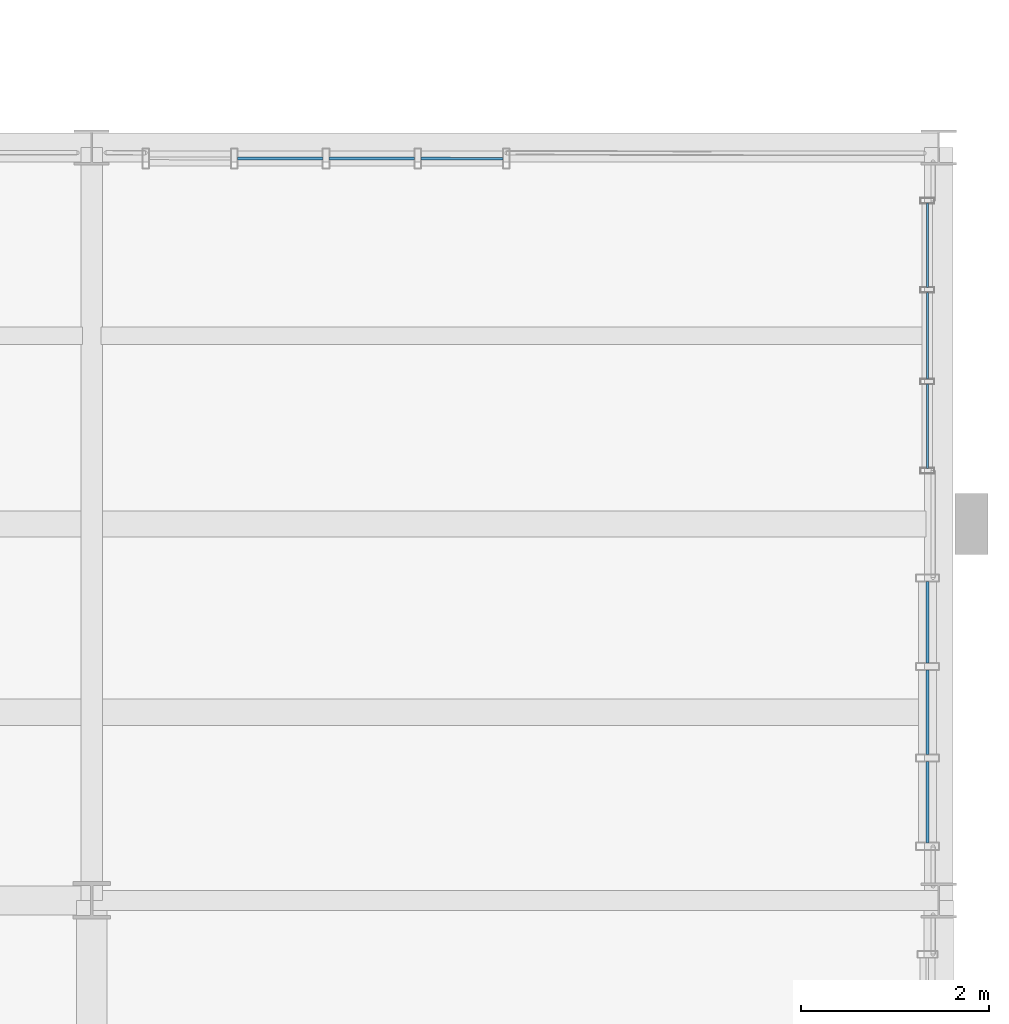
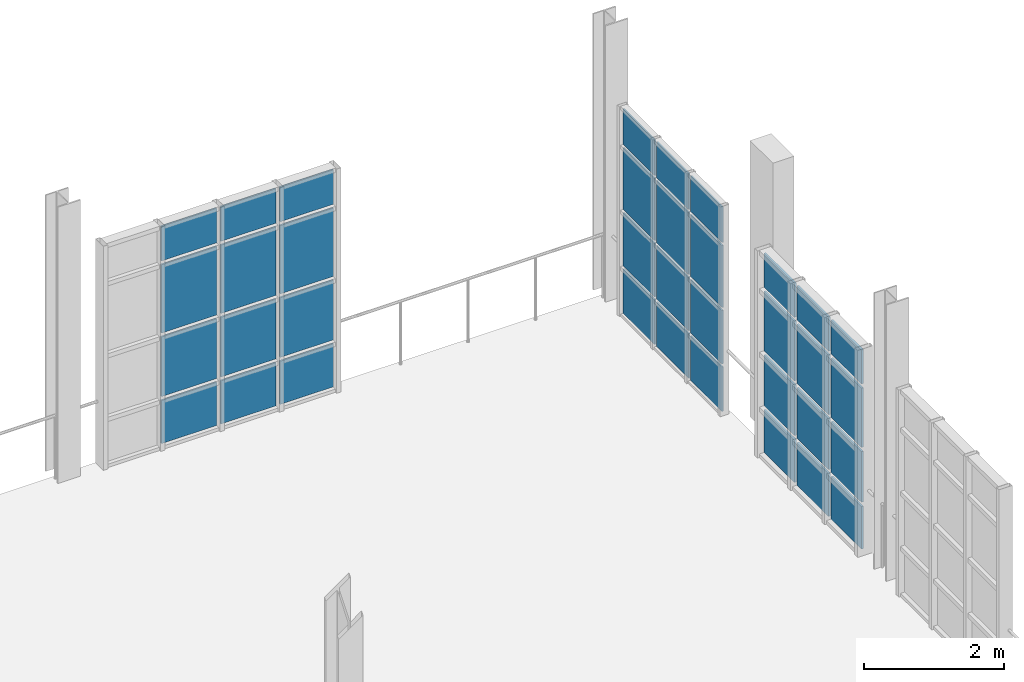
# One storey, part 93 of 122: 36 plates, 3 elements without a shape of their own.
"""IFC4 building model written with IfcOpenShell, lengths in metres."""

import ifcopenshell
import ifcopenshell.guid

model = None  # the IFC model being written
_history = None  # IfcOwnerHistory: only IFC2X3 demands one
_inside = {}  # id of a spatial element -> (the spatial element, [elements in it])
_under = {}  # id of a project, library or spatial element -> (it, [spatial elements below it])
_declared = {}  # id of a project -> (the project, [libraries it declares])
_typed = {}  # id of a type object -> (the type object, [elements of that type])
_made_of = {}  # id of a material, layer set ... -> (it, [elements and type objects made of it])


def new_model(schema):
    """Start an empty IFC model of exactly this schema.

    Asked for "IFC4X3", IfcOpenShell would pick the latest addendum, in which some entities
    have other attributes; the version numbers below select the first issue.
    IFC2X3 requires an IfcOwnerHistory on every rooted entity: one is made here for all.
    """
    global model, _history
    if schema == "IFC4X3":
        model = ifcopenshell.file(schema_version=(4, 3, 0, 0))
    else:
        model = ifcopenshell.file(schema=schema)
    _inside.clear()
    _under.clear()
    _declared.clear()
    _typed.clear()
    _made_of.clear()
    _history = None
    if model.schema == "IFC2X3":
        org = make("IfcOrganization", Name="unknown")
        user = make(
            "IfcPersonAndOrganization",
            ThePerson=make("IfcPerson", FamilyName="unknown"),
            TheOrganization=org,
        )
        app = make(
            "IfcApplication",
            ApplicationDeveloper=org,
            Version="unknown",
            ApplicationFullName="unknown",
            ApplicationIdentifier="unknown",
        )
        _history = make(
            "IfcOwnerHistory",
            OwningUser=user,
            OwningApplication=app,
            ChangeAction="ADDED",
            CreationDate=0,
        )
    return model


def make(cls, **values):
    """One entity of the class cls with the attributes given. An attribute that is None is left unset."""
    return model.create_entity(
        cls, **{name: value for name, value in values.items() if value is not None}
    )


def rooted(cls, **values):
    """An entity with a GlobalId (a new one), such as an element, a storey or a relation."""
    return make(cls, GlobalId=ifcopenshell.guid.new(), OwnerHistory=_history, **values)


def si_unit(unit_type, name, prefix=None):
    """IfcSIUnit, for example si_unit("LENGTHUNIT", "METRE", prefix="MILLI")."""
    return make("IfcSIUnit", UnitType=unit_type, Prefix=prefix, Name=name)


def assignment(units):
    """IfcUnitAssignment: the units of a project."""
    return None if units is None else make("IfcUnitAssignment", Units=units)


def point(xyz):
    """IfcCartesianPoint."""
    return None if xyz is None else make("IfcCartesianPoint", Coordinates=xyz)


def direction(xyz):
    """IfcDirection."""
    return None if xyz is None else make("IfcDirection", DirectionRatios=xyz)


def frame(location, z_axis=None, x_axis=None):
    """IfcAxis2Placement3D, a coordinate frame: its origin and axes. An axis left out is left unset."""
    return make(
        "IfcAxis2Placement3D",
        Location=point(location),
        Axis=direction(z_axis),
        RefDirection=direction(x_axis),
    )


def frame_2d(location, x_axis=None):
    """IfcAxis2Placement2D, a coordinate frame in the plane: its origin and x axis."""
    return make(
        "IfcAxis2Placement2D", Location=point(location), RefDirection=direction(x_axis)
    )


def origin():
    """The frame at (0, 0, 0) with its axes left unset."""
    return frame((0.0, 0.0, 0.0))


def origin_2d():
    """The frame at (0, 0) in the plane with its x axis left unset."""
    return frame_2d((0.0, 0.0))


def place(relative_to, where):
    """IfcLocalPlacement: puts the frame where relative to a parent placement (None: the world)."""
    return make(
        "IfcLocalPlacement", PlacementRelTo=relative_to, RelativePlacement=where
    )


def context(
    kind, dimensions, precision=None, world=None, true_north=None, identifier=None
):
    """IfcGeometricRepresentationContext, for example the 3D "Model" context."""
    return make(
        "IfcGeometricRepresentationContext",
        ContextIdentifier=identifier,
        ContextType=kind,
        CoordinateSpaceDimension=dimensions,
        Precision=precision,
        WorldCoordinateSystem=world,
        TrueNorth=true_north,
    )


def subcontext(parent, identifier, kind, view, scale=None):
    """IfcGeometricRepresentationSubContext, for example "Body" below "Model"."""
    return make(
        "IfcGeometricRepresentationSubContext",
        ContextIdentifier=identifier,
        ContextType=kind,
        ParentContext=parent,
        TargetScale=scale,
        TargetView=view,
    )


def project(units=None, contexts=None):
    """IfcProject with its units and contexts."""
    return rooted(
        "IfcProject",
        Name="project",
        RepresentationContexts=contexts,
        UnitsInContext=assignment(units),
    )


def spatial(cls, under=None, at=None, **own):
    """A site, building, storey or space (cls), placed at a placement, below another one or the project."""
    s = rooted(cls, ObjectPlacement=at, **own)
    if under is not None:
        _under.setdefault(under.id(), (under, []))[1].append(s)
    return s


def profile(cls, at=None, kind="AREA", **sizes):
    """A parametric profile (cls). Its sizes go by their IFC names, for example OverallWidth=200.0."""
    return make(cls, ProfileType=kind, Position=at, **sizes)


def rectangle(**sizes):
    """IfcRectangleProfileDef."""
    return profile("IfcRectangleProfileDef", **sizes)


def extrude(swept, where, along, depth):
    """IfcExtrudedAreaSolid: the profile swept, set in the frame where, extruded along a direction by depth."""
    return make(
        "IfcExtrudedAreaSolid",
        SweptArea=swept,
        Position=where,
        ExtrudedDirection=direction(along),
        Depth=depth,
    )


def shape(context_of_items, identifier, shape_type, items):
    """IfcShapeRepresentation: the items that make up one representation, for example the "Body"."""
    return make(
        "IfcShapeRepresentation",
        ContextOfItems=context_of_items,
        RepresentationIdentifier=identifier,
        RepresentationType=shape_type,
        Items=items,
    )


def material(Name=None, Category=None):
    """IfcMaterial."""
    return make("IfcMaterial", Name=Name, Category=Category)


def layer(
    of_material, thickness, ventilated=None, Name=None, Category=None, Priority=None
):
    """IfcMaterialLayer: one layer of a wall or slab, of a material (None: an air gap)."""
    return make(
        "IfcMaterialLayer",
        Material=of_material,
        LayerThickness=thickness,
        IsVentilated=ventilated,
        Name=Name,
        Category=Category,
        Priority=Priority,
    )


def layer_set(layers, Name=None):
    """IfcMaterialLayerSet."""
    return make("IfcMaterialLayerSet", MaterialLayers=layers, LayerSetName=Name)


def made_of(thing, what):
    """Note that an element or type object is made of a material, layer set ...; save() writes the relation."""
    if what is not None:
        _made_of.setdefault(what.id(), (what, []))[1].append(thing)
    return thing


def type_object(cls, material=None, **own):
    """A type object (cls), such as IfcWallType, which elements share."""
    return made_of(rooted(cls, **own), material)


def element(
    cls,
    number,
    at=None,
    inside=None,
    cuts=None,
    type_object=None,
    material=None,
    context=None,
    identifier="Body",
    shape_type=None,
    held_by="IfcProductDefinitionShape",
    body=None,
    shapes=None,
    **own,
):
    """One element of the class cls, such as IfcWall. Its Tag is "e" and its number.

    at: its placement. inside: the storey or other place that contains it. cuts: it is an
    opening in that element (IfcRelVoidsElement). A single representation is given by context,
    identifier, shape_type and body (its items); several are given by shapes. held_by: the class
    of the entity that holds the representations. save() writes the other relations.
    """
    e = rooted(cls, Tag="e%d" % number, ObjectPlacement=at, **own)
    if body is not None:
        shapes = [shape(context, identifier, shape_type, body)]
    if shapes is not None:
        e.Representation = make(held_by, Representations=shapes)
    if inside is not None:
        _inside.setdefault(inside.id(), (inside, []))[1].append(e)
    if cuts is not None:
        rooted(
            "IfcRelVoidsElement", RelatingBuildingElement=cuts, RelatedOpeningElement=e
        )
    if type_object is not None:
        _typed.setdefault(type_object.id(), (type_object, []))[1].append(e)
    return made_of(e, material)


def aggregate(whole, parts):
    """IfcRelAggregates: a whole, such as a stair, and the parts it consists of."""
    return rooted("IfcRelAggregates", RelatingObject=whole, RelatedObjects=parts)


def save(model, path):
    """Write the relations noted so far, then the file.

    IfcRelAggregates (storeys below a building ...), IfcRelContainedInSpatialStructure (elements
    in a storey), IfcRelDefinesByType, IfcRelAssociatesMaterial and IfcRelDeclares: one each for
    every whole, place, type object, material and project.
    """
    for whole, parts in _under.values():
        aggregate(whole, parts)
    for where, things in _inside.values():
        rooted(
            "IfcRelContainedInSpatialStructure",
            RelatedElements=things,
            RelatingStructure=where,
        )
    for kind, things in _typed.values():
        rooted("IfcRelDefinesByType", RelatedObjects=things, RelatingType=kind)
    for what, things in _made_of.values():
        rooted("IfcRelAssociatesMaterial", RelatedObjects=things, RelatingMaterial=what)
    for by, libraries in _declared.values():
        rooted("IfcRelDeclares", RelatingContext=by, RelatedDefinitions=libraries)
    model.write(path)


model = new_model("IFC4")

# Units and contexts
model_context = context("Model", 3, precision=1e-05, world=origin(), true_north=direction((0.0, 1.0)))
body_context = subcontext(model_context, "Body", "Model", "MODEL_VIEW")
ifc_project = project(units=[si_unit("LENGTHUNIT", "METRE"), si_unit("AREAUNIT", "SQUARE_METRE"), si_unit("VOLUMEUNIT", "CUBIC_METRE"), si_unit("PLANEANGLEUNIT", "RADIAN"), si_unit("MASSUNIT", "GRAM", prefix="KILO"), si_unit("THERMODYNAMICTEMPERATUREUNIT", "KELVIN"), si_unit("POWERUNIT", "WATT")], contexts=[model_context])

# Site, building, storey
site_placement = place(None, origin())
site = spatial("IfcSite", under=ifc_project, at=site_placement, CompositionType="ELEMENT")
building_placement = place(site_placement, origin())
building = spatial("IfcBuilding", under=site, at=building_placement, Name="Zelmaris Science Centre", CompositionType="ELEMENT")
storey_placement = place(building_placement, frame((0.0, 0.0, 10.800048828125)))
storey = spatial("IfcBuildingStorey", under=building, at=storey_placement, Name="L02", CompositionType="ELEMENT", Elevation=10.800048828125)

# Curtain wall, plates
ifc_material_1 = material(Name="Anodised architectural aluminium 6063-T6", Category="aluminium")
ifc_layer_1 = layer(ifc_material_1, 0.18994140625, Name="Anodised architectural aluminium 6063-T6")
ifc_layer_set_1 = layer_set([ifc_layer_1], Name="Anodised architectural aluminium 6063-T6")
curtain_wall_type_1 = type_object("IfcCurtainWallType", Name="Curtain Wall CW-01", PredefinedType="USERDEFINED", material=ifc_layer_set_1)
curtain_wall_1_placement = place(storey_placement, origin())
curtain_wall_1 = element("IfcCurtainWall", 1, at=curtain_wall_1_placement, inside=storey, type_object=curtain_wall_type_1, Name="L02 Unitised curtain wall 225", ObjectType="GLAZED CURTAIN WALL", PredefinedType="USERDEFINED")
ifc_material_2 = material(Name="Laminated hurricane-rated low-E insulated glazing", Category="glass")
ifc_layer_2 = layer(ifc_material_2, 0.031982421875, Name="Laminated hurricane-rated low-E insulated glazing")
ifc_layer_set_2 = layer_set([ifc_layer_2], Name="Laminated hurricane-rated low-E insulated glazing")
plate_type_1 = type_object("IfcPlateType", Name="Curtain Glazing Panel CWP-1 32mm", PredefinedType="CURTAIN_PANEL", material=ifc_layer_set_2)
plate_1_placement = place(storey_placement, frame((143.8798828125, 50.955322265625, 0.05712890625), z_axis=(0.0, 0.0, 1.0), x_axis=(0.0, -1.0, 0.0)))
plate_1 = element("IfcPlate", 2, at=plate_1_placement, type_object=plate_type_1, Name="CW-01 panel 1.1", PredefinedType="CURTAIN_PANEL", context=body_context, shape_type="SweptSolid", body=[
    extrude(rectangle(XDim=0.865234375, YDim=0.031982421875, at=origin_2d()), origin(), (0.0, 0.0, 1.0), 0.741943359375),
])
plate_2_placement = place(storey_placement, frame((143.8798828125, 50.955322265625, 0.87109375), z_axis=(0.0, 0.0, 1.0), x_axis=(0.0, -1.0, 0.0)))
plate_2 = element("IfcPlate", 3, at=plate_2_placement, type_object=plate_type_1, Name="CW-01 panel 1.2", PredefinedType="CURTAIN_PANEL", context=body_context, shape_type="SweptSolid", body=[
    extrude(rectangle(XDim=0.865234375, YDim=0.031982421875, at=origin_2d()), origin(), (0.0, 0.0, 1.0), 0.882080078125),
])
plate_3_placement = place(storey_placement, frame((143.8798828125, 50.955322265625, 1.8251953125), z_axis=(0.0, 0.0, 1.0), x_axis=(0.0, -1.0, 0.0)))
plate_3 = element("IfcPlate", 4, at=plate_3_placement, type_object=plate_type_1, Name="CW-01 panel 1.3", PredefinedType="CURTAIN_PANEL", context=body_context, shape_type="SweptSolid", body=[
    extrude(rectangle(XDim=0.865234375, YDim=0.031982421875, at=origin_2d()), origin(), (0.0, 0.0, 1.0), 1.031982421875),
])
plate_4_placement = place(storey_placement, frame((143.8798828125, 50.955322265625, 2.9287109375), z_axis=(0.0, 0.0, 1.0), x_axis=(0.0, -1.0, 0.0)))
plate_4 = element("IfcPlate", 5, at=plate_4_placement, type_object=plate_type_1, Name="CW-01 panel 1.4", PredefinedType="CURTAIN_PANEL", context=body_context, shape_type="SweptSolid", body=[
    extrude(rectangle(XDim=0.865234375, YDim=0.031982421875, at=origin_2d()), origin(), (0.0, 0.0, 1.0), 0.592041015625),
])
plate_5_placement = place(storey_placement, frame((143.8798828125, 50.0, 0.05712890625), z_axis=(0.0, 0.0, 1.0), x_axis=(0.0, -1.0, 0.0)))
plate_5 = element("IfcPlate", 6, at=plate_5_placement, type_object=plate_type_1, Name="CW-01 panel 2.1", PredefinedType="CURTAIN_PANEL", context=body_context, shape_type="SweptSolid", body=[
    extrude(rectangle(XDim=0.9013671875, YDim=0.031982421875, at=origin_2d()), origin(), (0.0, 0.0, 1.0), 0.741943359375),
])
plate_6_placement = place(storey_placement, frame((143.8798828125, 50.0, 0.87109375), z_axis=(0.0, 0.0, 1.0), x_axis=(0.0, -1.0, 0.0)))
plate_6 = element("IfcPlate", 7, at=plate_6_placement, type_object=plate_type_1, Name="CW-01 panel 2.2", PredefinedType="CURTAIN_PANEL", context=body_context, shape_type="SweptSolid", body=[
    extrude(rectangle(XDim=0.9013671875, YDim=0.031982421875, at=origin_2d()), origin(), (0.0, 0.0, 1.0), 0.882080078125),
])
plate_7_placement = place(storey_placement, frame((143.8798828125, 50.0, 1.8251953125), z_axis=(0.0, 0.0, 1.0), x_axis=(0.0, -1.0, 0.0)))
plate_7 = element("IfcPlate", 8, at=plate_7_placement, type_object=plate_type_1, Name="CW-01 panel 2.3", PredefinedType="CURTAIN_PANEL", context=body_context, shape_type="SweptSolid", body=[
    extrude(rectangle(XDim=0.9013671875, YDim=0.031982421875, at=origin_2d()), origin(), (0.0, 0.0, 1.0), 1.031982421875),
])
plate_8_placement = place(storey_placement, frame((143.8798828125, 50.0, 2.9287109375), z_axis=(0.0, 0.0, 1.0), x_axis=(0.0, -1.0, 0.0)))
plate_8 = element("IfcPlate", 9, at=plate_8_placement, type_object=plate_type_1, Name="CW-01 panel 2.4", PredefinedType="CURTAIN_PANEL", context=body_context, shape_type="SweptSolid", body=[
    extrude(rectangle(XDim=0.9013671875, YDim=0.031982421875, at=origin_2d()), origin(), (0.0, 0.0, 1.0), 0.592041015625),
])
plate_9_placement = place(storey_placement, frame((143.8798828125, 49.044677734375, 0.05712890625), z_axis=(0.0, 0.0, 1.0), x_axis=(0.0, -1.0, 0.0)))
plate_9 = element("IfcPlate", 10, at=plate_9_placement, type_object=plate_type_1, Name="CW-01 panel 3.1", PredefinedType="CURTAIN_PANEL", context=body_context, shape_type="SweptSolid", body=[
    extrude(rectangle(XDim=0.865234375, YDim=0.031982421875, at=origin_2d()), origin(), (0.0, 0.0, 1.0), 0.741943359375),
])
plate_10_placement = place(storey_placement, frame((143.8798828125, 49.044677734375, 0.87109375), z_axis=(0.0, 0.0, 1.0), x_axis=(0.0, -1.0, 0.0)))
plate_10 = element("IfcPlate", 11, at=plate_10_placement, type_object=plate_type_1, Name="CW-01 panel 3.2", PredefinedType="CURTAIN_PANEL", context=body_context, shape_type="SweptSolid", body=[
    extrude(rectangle(XDim=0.865234375, YDim=0.031982421875, at=origin_2d()), origin(), (0.0, 0.0, 1.0), 0.882080078125),
])
plate_11_placement = place(storey_placement, frame((143.8798828125, 49.044677734375, 1.8251953125), z_axis=(0.0, 0.0, 1.0), x_axis=(0.0, -1.0, 0.0)))
plate_11 = element("IfcPlate", 12, at=plate_11_placement, type_object=plate_type_1, Name="CW-01 panel 3.3", PredefinedType="CURTAIN_PANEL", context=body_context, shape_type="SweptSolid", body=[
    extrude(rectangle(XDim=0.865234375, YDim=0.031982421875, at=origin_2d()), origin(), (0.0, 0.0, 1.0), 1.031982421875),
])
plate_12_placement = place(storey_placement, frame((143.8798828125, 49.044677734375, 2.9287109375), z_axis=(0.0, 0.0, 1.0), x_axis=(0.0, -1.0, 0.0)))
plate_12 = element("IfcPlate", 13, at=plate_12_placement, type_object=plate_type_1, Name="CW-01 panel 3.4", PredefinedType="CURTAIN_PANEL", context=body_context, shape_type="SweptSolid", body=[
    extrude(rectangle(XDim=0.865234375, YDim=0.031982421875, at=origin_2d()), origin(), (0.0, 0.0, 1.0), 0.592041015625),
])
aggregate(curtain_wall_1, [plate_1, plate_2, plate_3, plate_4, plate_5, plate_6, plate_7, plate_8, plate_9, plate_10, plate_11, plate_12])

ifc_layer_3 = layer(ifc_material_1, 0.199951171875, Name="Anodised architectural aluminium 6063-T6")
ifc_layer_set_3 = layer_set([ifc_layer_3], Name="Anodised architectural aluminium 6063-T6")
curtain_wall_type_2 = type_object("IfcCurtainWallType", Name="Curtain Wall CW-02", PredefinedType="USERDEFINED", material=ifc_layer_set_3)
curtain_wall_2_placement = place(storey_placement, origin())
curtain_wall_2 = element("IfcCurtainWall", 14, at=curtain_wall_2_placement, inside=storey, type_object=curtain_wall_type_2, Name="L02 Unitised curtain wall 222", ObjectType="GLAZED CURTAIN WALL", PredefinedType="USERDEFINED")
ifc_layer_4 = layer(ifc_material_2, 0.028076171875, Name="Laminated hurricane-rated low-E insulated glazing")
ifc_layer_set_4 = layer_set([ifc_layer_4], Name="Laminated hurricane-rated low-E insulated glazing")
plate_type_2 = type_object("IfcPlateType", Name="Curtain Glazing Panel CWP-2 28mm", PredefinedType="CURTAIN_PANEL", material=ifc_layer_set_4)
plate_13_placement = place(storey_placement, frame((137.00244140625, 55.88330078125, 0.052001953125), z_axis=(0.0, 0.0, 1.0), x_axis=(0.999999881328, -0.000487179425, 0.0)))
plate_13 = element("IfcPlate", 15, at=plate_13_placement, type_object=plate_type_2, Name="CW-02 panel 2.1", PredefinedType="CURTAIN_PANEL", context=body_context, shape_type="SweptSolid", body=[
    extrude(rectangle(XDim=0.907958984375, YDim=0.028076171875, at=origin_2d()), origin(), (0.0, 0.0, 1.0), 0.74951171875),
])
plate_14_placement = place(storey_placement, frame((137.00244140625, 55.88330078125, 0.868408203125), z_axis=(0.0, 0.0, 1.0), x_axis=(0.999999881328, -0.000487179425, 0.0)))
plate_14 = element("IfcPlate", 16, at=plate_14_placement, type_object=plate_type_2, Name="CW-02 panel 2.2", PredefinedType="CURTAIN_PANEL", context=body_context, shape_type="SweptSolid", body=[
    extrude(rectangle(XDim=0.907958984375, YDim=0.028076171875, at=origin_2d()), origin(), (0.0, 0.0, 1.0), 1.037109375),
])
plate_15_placement = place(storey_placement, frame((137.00244140625, 55.88330078125, 1.972412109375), z_axis=(0.0, 0.0, 1.0), x_axis=(0.999999881328, -0.000487179425, 0.0)))
plate_15 = element("IfcPlate", 17, at=plate_15_placement, type_object=plate_type_2, Name="CW-02 panel 2.3", PredefinedType="CURTAIN_PANEL", context=body_context, shape_type="SweptSolid", body=[
    extrude(rectangle(XDim=0.907958984375, YDim=0.028076171875, at=origin_2d()), origin(), (0.0, 0.0, 1.0), 1.18701171875),
])
plate_16_placement = place(storey_placement, frame((137.00244140625, 55.88330078125, 3.226318359375), z_axis=(0.0, 0.0, 1.0), x_axis=(0.999999881328, -0.000487179425, 0.0)))
plate_16 = element("IfcPlate", 18, at=plate_16_placement, type_object=plate_type_2, Name="CW-02 panel 2.4", PredefinedType="CURTAIN_PANEL", context=body_context, shape_type="SweptSolid", body=[
    extrude(rectangle(XDim=0.907958984375, YDim=0.028076171875, at=origin_2d()), origin(), (0.0, 0.0, 1.0), 0.599609375),
])
plate_17_placement = place(storey_placement, frame((137.977294921875, 55.8828125, 0.052001953125), z_axis=(0.0, 0.0, 1.0), x_axis=(0.999999881328, -0.000487179425, 0.0)))
plate_17 = element("IfcPlate", 19, at=plate_17_placement, type_object=plate_type_2, Name="CW-02 panel 3.1", PredefinedType="CURTAIN_PANEL", context=body_context, shape_type="SweptSolid", body=[
    extrude(rectangle(XDim=0.907958984375, YDim=0.028076171875, at=origin_2d()), origin(), (0.0, 0.0, 1.0), 0.74951171875),
])
plate_18_placement = place(storey_placement, frame((137.977294921875, 55.8828125, 0.868408203125), z_axis=(0.0, 0.0, 1.0), x_axis=(0.999999881328, -0.000487179425, 0.0)))
plate_18 = element("IfcPlate", 20, at=plate_18_placement, type_object=plate_type_2, Name="CW-02 panel 3.2", PredefinedType="CURTAIN_PANEL", context=body_context, shape_type="SweptSolid", body=[
    extrude(rectangle(XDim=0.907958984375, YDim=0.028076171875, at=origin_2d()), origin(), (0.0, 0.0, 1.0), 1.037109375),
])
plate_19_placement = place(storey_placement, frame((137.977294921875, 55.8828125, 1.972412109375), z_axis=(0.0, 0.0, 1.0), x_axis=(0.999999881328, -0.000487179425, 0.0)))
plate_19 = element("IfcPlate", 21, at=plate_19_placement, type_object=plate_type_2, Name="CW-02 panel 3.3", PredefinedType="CURTAIN_PANEL", context=body_context, shape_type="SweptSolid", body=[
    extrude(rectangle(XDim=0.907958984375, YDim=0.028076171875, at=origin_2d()), origin(), (0.0, 0.0, 1.0), 1.18701171875),
])
plate_20_placement = place(storey_placement, frame((137.977294921875, 55.8828125, 3.226318359375), z_axis=(0.0, 0.0, 1.0), x_axis=(0.999999881328, -0.000487179425, 0.0)))
plate_20 = element("IfcPlate", 22, at=plate_20_placement, type_object=plate_type_2, Name="CW-02 panel 3.4", PredefinedType="CURTAIN_PANEL", context=body_context, shape_type="SweptSolid", body=[
    extrude(rectangle(XDim=0.907958984375, YDim=0.028076171875, at=origin_2d()), origin(), (0.0, 0.0, 1.0), 0.599609375),
])
plate_21_placement = place(storey_placement, frame((138.935546875, 55.88232421875, 0.052001953125), z_axis=(0.0, 0.0, 1.0), x_axis=(0.999999881328, -0.000487179425, 0.0)))
plate_21 = element("IfcPlate", 23, at=plate_21_placement, type_object=plate_type_2, Name="CW-02 panel 4.1", PredefinedType="CURTAIN_PANEL", context=body_context, shape_type="SweptSolid", body=[
    extrude(rectangle(XDim=0.87451171875, YDim=0.028076171875, at=origin_2d()), origin(), (0.0, 0.0, 1.0), 0.74951171875),
])
plate_22_placement = place(storey_placement, frame((138.935546875, 55.88232421875, 0.868408203125), z_axis=(0.0, 0.0, 1.0), x_axis=(0.999999881328, -0.000487179425, 0.0)))
plate_22 = element("IfcPlate", 24, at=plate_22_placement, type_object=plate_type_2, Name="CW-02 panel 4.2", PredefinedType="CURTAIN_PANEL", context=body_context, shape_type="SweptSolid", body=[
    extrude(rectangle(XDim=0.87451171875, YDim=0.028076171875, at=origin_2d()), origin(), (0.0, 0.0, 1.0), 1.037109375),
])
plate_23_placement = place(storey_placement, frame((138.935546875, 55.88232421875, 1.972412109375), z_axis=(0.0, 0.0, 1.0), x_axis=(0.999999881328, -0.000487179425, 0.0)))
plate_23 = element("IfcPlate", 25, at=plate_23_placement, type_object=plate_type_2, Name="CW-02 panel 4.3", PredefinedType="CURTAIN_PANEL", context=body_context, shape_type="SweptSolid", body=[
    extrude(rectangle(XDim=0.87451171875, YDim=0.028076171875, at=origin_2d()), origin(), (0.0, 0.0, 1.0), 1.18701171875),
])
plate_24_placement = place(storey_placement, frame((138.935546875, 55.88232421875, 3.226318359375), z_axis=(0.0, 0.0, 1.0), x_axis=(0.999999881328, -0.000487179425, 0.0)))
plate_24 = element("IfcPlate", 26, at=plate_24_placement, type_object=plate_type_2, Name="CW-02 panel 4.4", PredefinedType="CURTAIN_PANEL", context=body_context, shape_type="SweptSolid", body=[
    extrude(rectangle(XDim=0.87451171875, YDim=0.028076171875, at=origin_2d()), origin(), (0.0, 0.0, 1.0), 0.599609375),
])
aggregate(curtain_wall_2, [plate_13, plate_14, plate_15, plate_16, plate_17, plate_18, plate_19, plate_20, plate_21, plate_22, plate_23, plate_24])

ifc_layer_5 = layer(ifc_material_1, 0.219970703125, Name="Anodised architectural aluminium 6063-T6")
ifc_layer_set_5 = layer_set([ifc_layer_5], Name="Anodised architectural aluminium 6063-T6")
curtain_wall_type_3 = type_object("IfcCurtainWallType", Name="Curtain Wall CW-04", PredefinedType="USERDEFINED", material=ifc_layer_set_5)
curtain_wall_3_placement = place(storey_placement, origin())
curtain_wall_3 = element("IfcCurtainWall", 27, at=curtain_wall_3_placement, inside=storey, type_object=curtain_wall_type_3, Name="L02 Unitised curtain wall 224", ObjectType="GLAZED CURTAIN WALL", PredefinedType="USERDEFINED")
ifc_layer_6 = layer(ifc_material_2, 0.02392578125, Name="Laminated hurricane-rated low-E insulated glazing")
ifc_layer_set_6 = layer_set([ifc_layer_6], Name="Laminated hurricane-rated low-E insulated glazing")
plate_type_3 = type_object("IfcPlateType", Name="Curtain Glazing Panel CWP-4 24mm", PredefinedType="CURTAIN_PANEL", material=ifc_layer_set_6)
plate_25_placement = place(storey_placement, frame((143.8798828125, 54.960205078125, 0.036865234375), z_axis=(0.0, 0.0, 1.0), x_axis=(0.0, -1.0, 0.0)))
plate_25 = element("IfcPlate", 28, at=plate_25_placement, type_object=plate_type_3, Name="CW-04 panel 1.1", PredefinedType="CURTAIN_PANEL", context=body_context, shape_type="SweptSolid", body=[
    extrude(rectangle(XDim=0.895263671875, YDim=0.02392578125, at=origin_2d()), origin(), (0.0, 0.0, 1.0), 0.77197265625),
])
plate_26_placement = place(storey_placement, frame((143.8798828125, 54.960205078125, 0.86083984375), z_axis=(0.0, 0.0, 1.0), x_axis=(0.0, -1.0, 0.0)))
plate_26 = element("IfcPlate", 29, at=plate_26_placement, type_object=plate_type_3, Name="CW-04 panel 1.2", PredefinedType="CURTAIN_PANEL", context=body_context, shape_type="SweptSolid", body=[
    extrude(rectangle(XDim=0.895263671875, YDim=0.02392578125, at=origin_2d()), origin(), (0.0, 0.0, 1.0), 0.927490234375),
])
plate_27_placement = place(storey_placement, frame((143.8798828125, 54.960205078125, 1.84033203125), z_axis=(0.0, 0.0, 1.0), x_axis=(0.0, -1.0, 0.0)))
plate_27 = element("IfcPlate", 30, at=plate_27_placement, type_object=plate_type_3, Name="CW-04 panel 1.3", PredefinedType="CURTAIN_PANEL", context=body_context, shape_type="SweptSolid", body=[
    extrude(rectangle(XDim=0.895263671875, YDim=0.02392578125, at=origin_2d()), origin(), (0.0, 0.0, 1.0), 1.077392578125),
])
plate_28_placement = place(storey_placement, frame((143.8798828125, 54.960205078125, 2.969970703125), z_axis=(0.0, 0.0, 1.0), x_axis=(0.0, -1.0, 0.0)))
plate_28 = element("IfcPlate", 31, at=plate_28_placement, type_object=plate_type_3, Name="CW-04 panel 1.4", PredefinedType="CURTAIN_PANEL", context=body_context, shape_type="SweptSolid", body=[
    extrude(rectangle(XDim=0.895263671875, YDim=0.02392578125, at=origin_2d()), origin(), (0.0, 0.0, 1.0), 0.6220703125),
])
plate_29_placement = place(storey_placement, frame((143.8798828125, 54.0, 0.036865234375), z_axis=(0.0, 0.0, 1.0), x_axis=(0.0, -1.0, 0.0)))
plate_29 = element("IfcPlate", 32, at=plate_29_placement, type_object=plate_type_3, Name="CW-04 panel 2.1", PredefinedType="CURTAIN_PANEL", context=body_context, shape_type="SweptSolid", body=[
    extrude(rectangle(XDim=0.92138671875, YDim=0.02392578125, at=origin_2d()), origin(), (0.0, 0.0, 1.0), 0.77197265625),
])
plate_30_placement = place(storey_placement, frame((143.8798828125, 54.0, 0.86083984375), z_axis=(0.0, 0.0, 1.0), x_axis=(0.0, -1.0, 0.0)))
plate_30 = element("IfcPlate", 33, at=plate_30_placement, type_object=plate_type_3, Name="CW-04 panel 2.2", PredefinedType="CURTAIN_PANEL", context=body_context, shape_type="SweptSolid", body=[
    extrude(rectangle(XDim=0.92138671875, YDim=0.02392578125, at=origin_2d()), origin(), (0.0, 0.0, 1.0), 0.927490234375),
])
plate_31_placement = place(storey_placement, frame((143.8798828125, 54.0, 1.84033203125), z_axis=(0.0, 0.0, 1.0), x_axis=(0.0, -1.0, 0.0)))
plate_31 = element("IfcPlate", 34, at=plate_31_placement, type_object=plate_type_3, Name="CW-04 panel 2.3", PredefinedType="CURTAIN_PANEL", context=body_context, shape_type="SweptSolid", body=[
    extrude(rectangle(XDim=0.92138671875, YDim=0.02392578125, at=origin_2d()), origin(), (0.0, 0.0, 1.0), 1.077392578125),
])
plate_32_placement = place(storey_placement, frame((143.8798828125, 54.0, 2.969970703125), z_axis=(0.0, 0.0, 1.0), x_axis=(0.0, -1.0, 0.0)))
plate_32 = element("IfcPlate", 35, at=plate_32_placement, type_object=plate_type_3, Name="CW-04 panel 2.4", PredefinedType="CURTAIN_PANEL", context=body_context, shape_type="SweptSolid", body=[
    extrude(rectangle(XDim=0.92138671875, YDim=0.02392578125, at=origin_2d()), origin(), (0.0, 0.0, 1.0), 0.6220703125),
])
plate_33_placement = place(storey_placement, frame((143.8798828125, 53.03955078125, 0.036865234375), z_axis=(0.0, 0.0, 1.0), x_axis=(0.0, -1.0, 0.0)))
plate_33 = element("IfcPlate", 36, at=plate_33_placement, type_object=plate_type_3, Name="CW-04 panel 3.1", PredefinedType="CURTAIN_PANEL", context=body_context, shape_type="SweptSolid", body=[
    extrude(rectangle(XDim=0.895263671875, YDim=0.02392578125, at=origin_2d()), origin(), (0.0, 0.0, 1.0), 0.77197265625),
])
plate_34_placement = place(storey_placement, frame((143.8798828125, 53.03955078125, 0.86083984375), z_axis=(0.0, 0.0, 1.0), x_axis=(0.0, -1.0, 0.0)))
plate_34 = element("IfcPlate", 37, at=plate_34_placement, type_object=plate_type_3, Name="CW-04 panel 3.2", PredefinedType="CURTAIN_PANEL", context=body_context, shape_type="SweptSolid", body=[
    extrude(rectangle(XDim=0.895263671875, YDim=0.02392578125, at=origin_2d()), origin(), (0.0, 0.0, 1.0), 0.927490234375),
])
plate_35_placement = place(storey_placement, frame((143.8798828125, 53.03955078125, 1.84033203125), z_axis=(0.0, 0.0, 1.0), x_axis=(0.0, -1.0, 0.0)))
plate_35 = element("IfcPlate", 38, at=plate_35_placement, type_object=plate_type_3, Name="CW-04 panel 3.3", PredefinedType="CURTAIN_PANEL", context=body_context, shape_type="SweptSolid", body=[
    extrude(rectangle(XDim=0.895263671875, YDim=0.02392578125, at=origin_2d()), origin(), (0.0, 0.0, 1.0), 1.077392578125),
])
plate_36_placement = place(storey_placement, frame((143.8798828125, 53.03955078125, 2.969970703125), z_axis=(0.0, 0.0, 1.0), x_axis=(0.0, -1.0, 0.0)))
plate_36 = element("IfcPlate", 39, at=plate_36_placement, type_object=plate_type_3, Name="CW-04 panel 3.4", PredefinedType="CURTAIN_PANEL", context=body_context, shape_type="SweptSolid", body=[
    extrude(rectangle(XDim=0.895263671875, YDim=0.02392578125, at=origin_2d()), origin(), (0.0, 0.0, 1.0), 0.6220703125),
])
aggregate(curtain_wall_3, [plate_25, plate_26, plate_27, plate_28, plate_29, plate_30, plate_31, plate_32, plate_33, plate_34, plate_35, plate_36])

save(model, "model.ifc")
